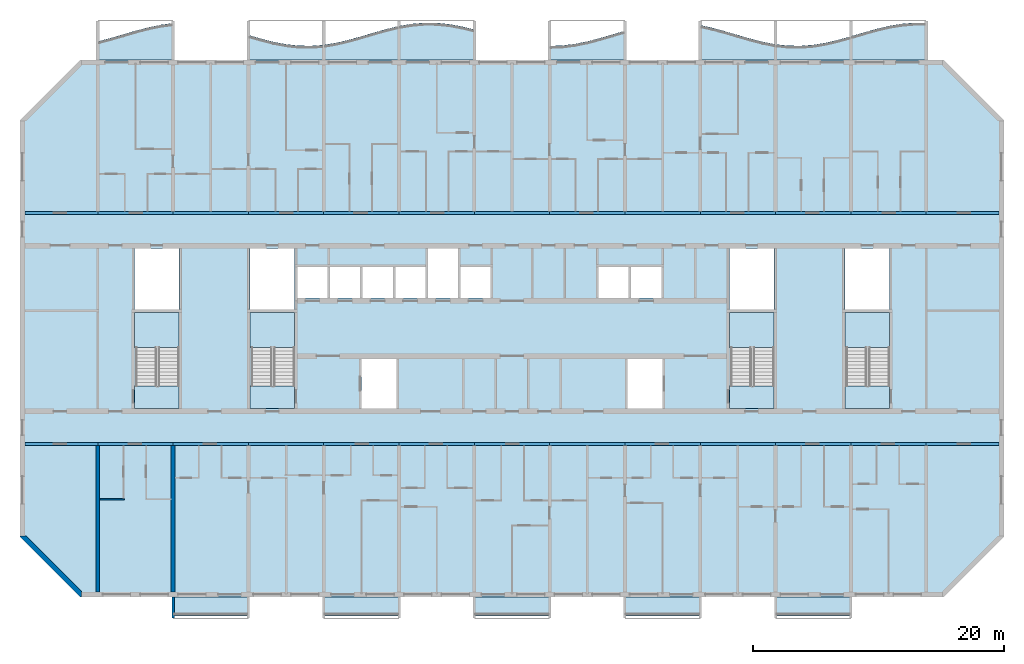
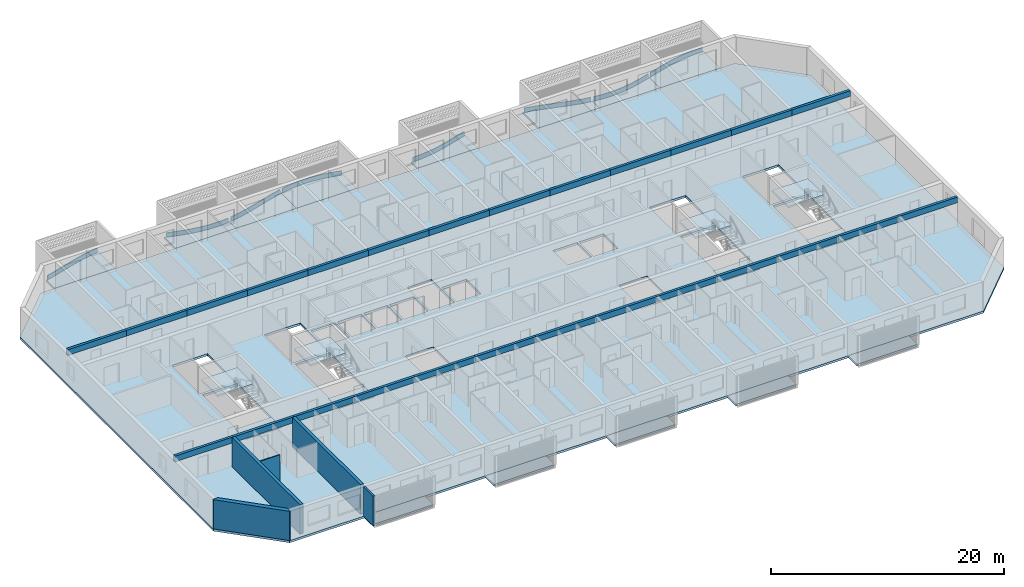
# One storey, part 1 of 33: 26 beams, 22 slabs, 8 plates, 5 walls, 4 elements without a shape of their own.
"""IFC4 building model written with IfcOpenShell, lengths in metres."""

from ifc_helpers import new_model, si_unit, direction, frame, frame_2d, origin, origin_2d, place, context, subcontext, project, spatial, polyline, rectangle, outline, extrude, source, transform, mapped, material, layer, layer_set, material_profile, profile_set, type_object, element, aggregate, save


model = new_model("IFC4")

# Units and contexts
model_context = context("Model", 3, precision=1e-05, world=origin(), true_north=direction((0.0, 1.0)))
body_context = subcontext(model_context, "Body", "Model", "MODEL_VIEW")
ifc_project = project(units=[si_unit("LENGTHUNIT", "METRE"), si_unit("AREAUNIT", "SQUARE_METRE"), si_unit("VOLUMEUNIT", "CUBIC_METRE"), si_unit("PLANEANGLEUNIT", "RADIAN"), si_unit("MASSUNIT", "GRAM", prefix="KILO")], contexts=[model_context])

# Site, building, storey
site_placement = place(None, origin())
site = spatial("IfcSite", under=ifc_project, at=site_placement, CompositionType="ELEMENT")
building_placement = place(site_placement, origin())
building = spatial("IfcBuilding", under=site, at=building_placement, Name="Poui Terraces", CompositionType="ELEMENT")
storey_placement = place(building_placement, frame((0.0, 0.0, 138.89990234375)))
storey = spatial("IfcBuildingStorey", under=building, at=storey_placement, Name="L38", CompositionType="ELEMENT", Elevation=138.89990234375)

# Beams
ifc_material_1 = material(Name="Concrete 65 MPa", Category="concrete")
ifc_material_profile = material_profile(ifc_material_1, rectangle(XDim=0.25, YDim=0.60009765625, at=origin_2d()), Name="RC 250x600")
ifc_profile_set = profile_set([ifc_material_profile], Name="Concrete 65 MPa")
beam_type = type_object("IfcBeamType", Name="COUPLING BEAM 250x600 65MPa", PredefinedType="BEAM", material=ifc_profile_set)
shared_shape_1 = source(origin(), body_context, "Body", "SweptSolid", [
    extrude(rectangle(XDim=0.25, YDim=0.60009765625, at=origin_2d()), origin(), (0.0, 0.0, 1.0), 5.800048828125),
])
for number, where, z_axis, x_axis, name in (
    (1, (12.199951171875, 12.0, 2.77001953125), (1.0, 0.0, 0.0), (0.0, 1.0, 0.0), "COUPLING BEAM LINE B BAY 1"),
    (2, (84.0, 12.0, 2.77001953125), (1.0, 0.0, 0.0), (0.0, 1.0, 0.0), "COUPLING BEAM LINE B BAY 13"),
    (3, (12.199951171875, 30.39990234375, 2.77001953125), (1.0, 0.0, 0.0), (0.0, 1.0, 0.0), "COUPLING BEAM LINE E BAY 1"),
    (4, (84.0, 30.39990234375, 2.77001953125), (1.0, 0.0, 0.0), (0.0, 1.0, 0.0), "COUPLING BEAM LINE E BAY 13"),
):
    element("IfcBeam", number, at=place(storey_placement, frame(where, z_axis=z_axis, x_axis=x_axis)), inside=storey, type_object=beam_type, Name=name, PredefinedType="BEAM", context=body_context, shape_type="MappedRepresentation", body=[
        mapped(shared_shape_1, transform((0.0, 0.0, 0.0))),
    ])
shared_shape_2 = source(origin(), body_context, "Body", "SweptSolid", [
    extrude(rectangle(XDim=0.25, YDim=0.60009765625, at=origin_2d()), origin(), (0.0, 0.0, 1.0), 6.0),
])
for number, where, z_axis, x_axis, name in (
    (5, (18.0, 12.0, 2.77001953125), (1.0, 0.0, 0.0), (0.0, 1.0, 0.0), "COUPLING BEAM LINE B BAY 2"),
    (6, (24.0, 12.0, 2.77001953125), (1.0, 0.0, 0.0), (0.0, 1.0, 0.0), "COUPLING BEAM LINE B BAY 3"),
    (7, (30.0, 12.0, 2.77001953125), (1.0, 0.0, 0.0), (0.0, 1.0, 0.0), "COUPLING BEAM LINE B BAY 4"),
    (8, (36.0, 12.0, 2.77001953125), (1.0, 0.0, 0.0), (0.0, 1.0, 0.0), "COUPLING BEAM LINE B BAY 5"),
    (9, (42.0, 12.0, 2.77001953125), (1.0, 0.0, 0.0), (0.0, 1.0, 0.0), "COUPLING BEAM LINE B BAY 6"),
    (10, (48.0, 12.0, 2.77001953125), (1.0, 0.0, 0.0), (0.0, 1.0, 0.0), "COUPLING BEAM LINE B BAY 7"),
    (11, (54.0, 12.0, 2.77001953125), (1.0, 0.0, 0.0), (0.0, 1.0, 0.0), "COUPLING BEAM LINE B BAY 8"),
    (12, (60.0, 12.0, 2.77001953125), (1.0, 0.0, 0.0), (0.0, 1.0, 0.0), "COUPLING BEAM LINE B BAY 9"),
    (13, (66.0, 12.0, 2.77001953125), (1.0, 0.0, 0.0), (0.0, 1.0, 0.0), "COUPLING BEAM LINE B BAY 10"),
    (14, (72.0, 12.0, 2.77001953125), (1.0, 0.0, 0.0), (0.0, 1.0, 0.0), "COUPLING BEAM LINE B BAY 11"),
    (15, (78.0, 12.0, 2.77001953125), (1.0, 0.0, 0.0), (0.0, 1.0, 0.0), "COUPLING BEAM LINE B BAY 12"),
    (16, (18.0, 30.39990234375, 2.77001953125), (1.0, 0.0, 0.0), (0.0, 1.0, 0.0), "COUPLING BEAM LINE E BAY 2"),
    (17, (24.0, 30.39990234375, 2.77001953125), (1.0, 0.0, 0.0), (0.0, 1.0, 0.0), "COUPLING BEAM LINE E BAY 3"),
    (18, (30.0, 30.39990234375, 2.77001953125), (1.0, 0.0, 0.0), (0.0, 1.0, 0.0), "COUPLING BEAM LINE E BAY 4"),
    (19, (36.0, 30.39990234375, 2.77001953125), (1.0, 0.0, 0.0), (0.0, 1.0, 0.0), "COUPLING BEAM LINE E BAY 5"),
    (20, (42.0, 30.39990234375, 2.77001953125), (1.0, 0.0, 0.0), (0.0, 1.0, 0.0), "COUPLING BEAM LINE E BAY 6"),
    (21, (48.0, 30.39990234375, 2.77001953125), (1.0, 0.0, 0.0), (0.0, 1.0, 0.0), "COUPLING BEAM LINE E BAY 7"),
    (22, (54.0, 30.39990234375, 2.77001953125), (1.0, 0.0, 0.0), (0.0, 1.0, 0.0), "COUPLING BEAM LINE E BAY 8"),
    (23, (60.0, 30.39990234375, 2.77001953125), (1.0, 0.0, 0.0), (0.0, 1.0, 0.0), "COUPLING BEAM LINE E BAY 9"),
    (24, (66.0, 30.39990234375, 2.77001953125), (1.0, 0.0, 0.0), (0.0, 1.0, 0.0), "COUPLING BEAM LINE E BAY 10"),
    (25, (72.0, 30.39990234375, 2.77001953125), (1.0, 0.0, 0.0), (0.0, 1.0, 0.0), "COUPLING BEAM LINE E BAY 11"),
    (26, (78.0, 30.39990234375, 2.77001953125), (1.0, 0.0, 0.0), (0.0, 1.0, 0.0), "COUPLING BEAM LINE E BAY 12"),
):
    element("IfcBeam", number, at=place(storey_placement, frame(where, z_axis=z_axis, x_axis=x_axis)), inside=storey, type_object=beam_type, Name=name, PredefinedType="BEAM", context=body_context, shape_type="MappedRepresentation", body=[
        mapped(shared_shape_2, transform((0.0, 0.0, 0.0))),
    ])

# Slabs
ifc_material_2 = material(Name="Precast concrete 40 MPa", Category="concrete")
ifc_layer_1 = layer(ifc_material_2, 0.199951171875)
ifc_layer_set_1 = layer_set([ifc_layer_1], Name="Precast concrete 40 MPa")
slab_type_1 = type_object("IfcSlabType", Name="BALCONY SLAB 200", PredefinedType="FLOOR", material=ifc_layer_set_1)
slab_1_placement = place(storey_placement, frame((0.0, 0.0, -0.199951171875)))
element("IfcSlab", 27, at=slab_1_placement, inside=storey, type_object=slab_type_1, Name="BALCONY SLAB", PredefinedType="FLOOR", context=body_context, shape_type="SweptSolid", body=[
    extrude(outline(polyline([(18.0, 42.60009765625), (24.0, 42.60009765625), (24.0, 45.510009765625), (23.0, 45.379150390625), (22.0, 45.170654296875), (21.0, 44.906005859375), (20.0, 44.612548828125), (19.0, 44.3203125), (18.0, 44.059326171875), (18.0, 42.60009765625)])), origin(), (0.0, 0.0, 1.0), 0.199951171875),
])
slab_2_placement = place(storey_placement, frame((0.0, 0.0, -0.199951171875)))
element("IfcSlab", 28, at=slab_2_placement, inside=storey, type_object=slab_type_1, Name="BALCONY SLAB", PredefinedType="FLOOR", context=body_context, shape_type="SweptSolid", body=[
    extrude(outline(polyline([(30.0, 42.60009765625), (36.0, 42.60009765625), (36.0, 43.7841796875), (35.0, 43.705322265625), (34.0, 43.72119140625), (33.0, 43.830078125), (32.0, 44.02099609375), (31.0, 44.27392578125), (30.0, 44.56298828125), (30.0, 42.60009765625)])), origin(), (0.0, 0.0, 1.0), 0.199951171875),
])
slab_3_placement = place(storey_placement, frame((0.0, 0.0, -0.199951171875)))
element("IfcSlab", 29, at=slab_3_placement, inside=storey, type_object=slab_type_1, Name="BALCONY SLAB", PredefinedType="FLOOR", context=body_context, shape_type="SweptSolid", body=[
    extrude(outline(polyline([(36.0, 42.60009765625), (42.0, 42.60009765625), (42.0, 45.283447265625), (41.0, 45.043701171875), (40.0, 44.760986328125), (39.0, 44.46435546875), (38.0, 44.18408203125), (37.0, 43.94921875), (36.0, 43.7841796875), (36.0, 42.60009765625)])), origin(), (0.0, 0.0, 1.0), 0.199951171875),
])
slab_4_placement = place(storey_placement, frame((0.0, 0.0, -0.199951171875)))
element("IfcSlab", 30, at=slab_4_placement, inside=storey, type_object=slab_type_1, Name="BALCONY SLAB", PredefinedType="FLOOR", context=body_context, shape_type="SweptSolid", body=[
    extrude(outline(polyline([(42.0, 42.60009765625), (48.0, 42.60009765625), (48.0, 44.9990234375), (47.0, 45.24755859375), (46.0, 45.43212890625), (45.0, 45.53369140625), (44.0, 45.541748046875), (43.0, 45.455322265625), (42.0, 45.283447265625), (42.0, 42.60009765625)])), origin(), (0.0, 0.0, 1.0), 0.199951171875),
])
slab_5_placement = place(storey_placement, frame((0.0, 0.0, -0.199951171875)))
element("IfcSlab", 31, at=slab_5_placement, inside=storey, type_object=slab_type_1, Name="BALCONY SLAB", PredefinedType="FLOOR", context=body_context, shape_type="SweptSolid", body=[
    extrude(outline(polyline([(54.0, 42.60009765625), (60.0, 42.60009765625), (60.0, 44.906005859375), (59.0, 44.612548828125), (58.0, 44.3203125), (57.0, 44.059326171875), (56.0, 43.856689453125), (55.0, 43.733154296875), (54.0, 43.701416015625), (54.0, 42.60009765625)])), origin(), (0.0, 0.0, 1.0), 0.199951171875),
])
slab_6_placement = place(storey_placement, frame((0.0, 0.0, -0.199951171875)))
element("IfcSlab", 32, at=slab_6_placement, inside=storey, type_object=slab_type_1, Name="BALCONY SLAB", PredefinedType="FLOOR", context=body_context, shape_type="SweptSolid", body=[
    extrude(outline(polyline([(66.0, 42.60009765625), (72.0, 42.60009765625), (72.0, 43.830078125), (71.0, 44.02099609375), (70.0, 44.27392578125), (69.0, 44.56298828125), (68.0, 44.8583984375), (67.0, 45.1298828125), (66.0, 45.349365234375), (66.0, 42.60009765625)])), origin(), (0.0, 0.0, 1.0), 0.199951171875),
])
slab_7_placement = place(storey_placement, frame((0.0, 0.0, -0.199951171875)))
element("IfcSlab", 33, at=slab_7_placement, inside=storey, type_object=slab_type_1, Name="BALCONY SLAB", PredefinedType="FLOOR", context=body_context, shape_type="SweptSolid", body=[
    extrude(outline(polyline([(72.0, 42.60009765625), (78.0, 42.60009765625), (78.0, 44.46435546875), (77.0, 44.18408203125), (76.0, 43.94921875), (75.0, 43.7841796875), (74.0, 43.705322265625), (73.0, 43.72119140625), (72.0, 43.830078125), (72.0, 42.60009765625)])), origin(), (0.0, 0.0, 1.0), 0.199951171875),
])
slab_8_placement = place(storey_placement, frame((0.0, 0.0, -0.199951171875)))
element("IfcSlab", 34, at=slab_8_placement, inside=storey, type_object=slab_type_1, Name="BALCONY SLAB", PredefinedType="FLOOR", context=body_context, shape_type="SweptSolid", body=[
    extrude(outline(polyline([(78.0, 42.60009765625), (84.0, 42.60009765625), (84.0, 45.53369140625), (83.0, 45.541748046875), (82.0, 45.455322265625), (81.0, 45.283447265625), (80.0, 45.043701171875), (79.0, 44.760986328125), (78.0, 44.46435546875), (78.0, 42.60009765625)])), origin(), (0.0, 0.0, 1.0), 0.199951171875),
])

# Stair, slabs
stair_type = type_object("IfcStairType", Name="EXIT STAIR 1650 65 MPA", PredefinedType="HALF_TURN_STAIR", material=ifc_material_1)
stair_1_placement = place(storey_placement, origin())
stair_1 = element("IfcStair", 35, at=stair_1_placement, inside=storey, type_object=stair_type, Name="L38 CORE STAIR EAST", PredefinedType="HALF_TURN_STAIR")
ifc_layer_2 = layer(ifc_material_1, 0.199951171875)
ifc_layer_set_2 = layer_set([ifc_layer_2], Name="Concrete 65 MPa")
slab_type_2 = type_object("IfcSlabType", Name="STAIR LANDING 200 65 MPA", PredefinedType="LANDING", material=ifc_layer_set_2)
slab_9_placement = place(storey_placement, frame((0.0, 0.0, 1.449951171875)))
slab_9 = element("IfcSlab", 36, at=slab_9_placement, type_object=slab_type_2, Name="ST-CE landing 1", PredefinedType="LANDING", context=body_context, shape_type="SweptSolid", body=[
    extrude(outline(polyline([(68.324951171875, 19.679931640625), (71.875, 19.679931640625), (71.875, 22.47509765625), (68.324951171875, 22.47509765625), (68.324951171875, 19.679931640625)])), origin(), (0.0, 0.0, 1.0), 0.2001953125),
])
slab_10_placement = place(storey_placement, frame((0.0, 0.0, -0.199951171875)))
slab_10 = element("IfcSlab", 37, at=slab_10_placement, type_object=slab_type_2, Name="ST-CE landing 2", PredefinedType="LANDING", context=body_context, shape_type="SweptSolid", body=[
    extrude(outline(polyline([(68.324951171875, 14.824951171875), (71.875, 14.824951171875), (71.875, 16.60009765625), (68.324951171875, 16.60009765625), (68.324951171875, 14.824951171875)])), origin(), (0.0, 0.0, 1.0), 0.199951171875),
])
aggregate(stair_1, [slab_9, slab_10])

stair_2_placement = place(storey_placement, origin())
stair_2 = element("IfcStair", 38, at=stair_2_placement, inside=storey, type_object=stair_type, Name="L38 CORE STAIR WEST", PredefinedType="HALF_TURN_STAIR")
slab_11_placement = place(storey_placement, frame((0.0, 0.0, 1.449951171875)))
slab_11 = element("IfcSlab", 39, at=slab_11_placement, type_object=slab_type_2, Name="ST-CW landing 1", PredefinedType="LANDING", context=body_context, shape_type="SweptSolid", body=[
    extrude(outline(polyline([(30.125, 19.679931640625), (33.675048828125, 19.679931640625), (33.675048828125, 22.47509765625), (30.125, 22.47509765625), (30.125, 19.679931640625)])), origin(), (0.0, 0.0, 1.0), 0.2001953125),
])
slab_12_placement = place(storey_placement, frame((0.0, 0.0, -0.199951171875)))
slab_12 = element("IfcSlab", 40, at=slab_12_placement, type_object=slab_type_2, Name="ST-CW landing 2", PredefinedType="LANDING", context=body_context, shape_type="SweptSolid", body=[
    extrude(outline(polyline([(30.125, 14.824951171875), (33.675048828125, 14.824951171875), (33.675048828125, 16.60009765625), (30.125, 16.60009765625), (30.125, 14.824951171875)])), origin(), (0.0, 0.0, 1.0), 0.199951171875),
])
aggregate(stair_2, [slab_11, slab_12])

stair_3_placement = place(storey_placement, origin())
stair_3 = element("IfcStair", 41, at=stair_3_placement, inside=storey, type_object=stair_type, Name="L38 TIP STAIR EAST", PredefinedType="HALF_TURN_STAIR")
slab_13_placement = place(storey_placement, frame((0.0, 0.0, 1.449951171875)))
slab_13 = element("IfcSlab", 42, at=slab_13_placement, type_object=slab_type_2, Name="ST-E landing 1", PredefinedType="LANDING", context=body_context, shape_type="SweptSolid", body=[
    extrude(outline(polyline([(77.52490234375, 19.679931640625), (81.074951171875, 19.679931640625), (81.074951171875, 22.47509765625), (77.52490234375, 22.47509765625), (77.52490234375, 19.679931640625)])), origin(), (0.0, 0.0, 1.0), 0.2001953125),
])
slab_14_placement = place(storey_placement, frame((0.0, 0.0, -0.199951171875)))
slab_14 = element("IfcSlab", 43, at=slab_14_placement, type_object=slab_type_2, Name="ST-E landing 2", PredefinedType="LANDING", context=body_context, shape_type="SweptSolid", body=[
    extrude(outline(polyline([(77.52490234375, 14.824951171875), (81.074951171875, 14.824951171875), (81.074951171875, 16.60009765625), (77.52490234375, 16.60009765625), (77.52490234375, 14.824951171875)])), origin(), (0.0, 0.0, 1.0), 0.199951171875),
])
aggregate(stair_3, [slab_13, slab_14])

stair_4_placement = place(storey_placement, origin())
stair_4 = element("IfcStair", 44, at=stair_4_placement, inside=storey, type_object=stair_type, Name="L38 TIP STAIR WEST", PredefinedType="HALF_TURN_STAIR")
slab_15_placement = place(storey_placement, frame((0.0, 0.0, 1.449951171875)))
slab_15 = element("IfcSlab", 45, at=slab_15_placement, type_object=slab_type_2, Name="ST-W landing 1", PredefinedType="LANDING", context=body_context, shape_type="SweptSolid", body=[
    extrude(outline(polyline([(20.925048828125, 19.679931640625), (24.47509765625, 19.679931640625), (24.47509765625, 22.47509765625), (20.925048828125, 22.47509765625), (20.925048828125, 19.679931640625)])), origin(), (0.0, 0.0, 1.0), 0.2001953125),
])
slab_16_placement = place(storey_placement, frame((0.0, 0.0, -0.199951171875)))
slab_16 = element("IfcSlab", 46, at=slab_16_placement, type_object=slab_type_2, Name="ST-W landing 2", PredefinedType="LANDING", context=body_context, shape_type="SweptSolid", body=[
    extrude(outline(polyline([(20.925048828125, 14.824951171875), (24.47509765625, 14.824951171875), (24.47509765625, 16.60009765625), (20.925048828125, 16.60009765625), (20.925048828125, 14.824951171875)])), origin(), (0.0, 0.0, 1.0), 0.199951171875),
])
aggregate(stair_4, [slab_15, slab_16])

# Plates
ifc_layer_3 = layer(ifc_material_2, 0.080078125)
ifc_layer_set_3 = layer_set([ifc_layer_3], Name="Precast concrete 40 MPa")
plate_type = type_object("IfcPlateType", Name="SUNSHADE UPSTAND 80", PredefinedType="SHEET", material=ifc_layer_set_3)
plate_1_placement = place(storey_placement, origin())
element("IfcPlate", 47, at=plate_1_placement, inside=storey, type_object=plate_type, Name="SUNSHADE UPSTAND", PredefinedType="SHEET", context=body_context, shape_type="SweptSolid", body=[
    extrude(outline(polyline([(18.9892578125, 44.31396484375), (18.11474609375, 44.0830078125), (18.13525390625, 44.005615234375), (19.0107421875, 44.23681640625), (20.01123046875, 44.529296875), (21.0107421875, 44.822509765625), (22.00927734375, 45.0869140625), (23.0068359375, 45.294677734375), (23.88037109375, 45.413818359375), (23.86962890625, 45.492919921875), (23.845703125, 45.48974609375), (22.9931640625, 45.37353515625), (21.99072265625, 45.164794921875), (20.9892578125, 44.899658203125), (19.98876953125, 44.60595703125), (18.9892578125, 44.31396484375)])), origin(), (0.0, 0.0, 1.0), 0.4501953125),
])
plate_2_placement = place(storey_placement, origin())
element("IfcPlate", 48, at=plate_2_placement, inside=storey, type_object=plate_type, Name="SUNSHADE UPSTAND", PredefinedType="SHEET", context=body_context, shape_type="SweptSolid", body=[
    extrude(outline(polyline([(31.010498046875, 44.267578125), (30.135986328125, 44.519287109375), (30.114013671875, 44.4423828125), (30.989501953125, 44.190185546875), (31.9912109375, 43.93701171875), (32.994140625, 43.74560546875), (33.99755859375, 43.63623046875), (35.001220703125, 43.620361328125), (35.8779296875, 43.684326171875), (35.8720703125, 43.76416015625), (34.998779296875, 43.700439453125), (34.00244140625, 43.71630859375), (33.005859375, 43.82470703125), (32.0087890625, 44.014892578125), (31.010498046875, 44.267578125)])), origin(), (0.0, 0.0, 1.0), 0.4501953125),
])
plate_3_placement = place(storey_placement, origin())
element("IfcPlate", 49, at=plate_3_placement, inside=storey, type_object=plate_type, Name="SUNSHADE UPSTAND", PredefinedType="SHEET", context=body_context, shape_type="SweptSolid", body=[
    extrude(outline(polyline([(36.9921875, 43.943603515625), (36.118408203125, 43.794677734375), (36.131591796875, 43.7158203125), (37.0078125, 43.864990234375), (38.010009765625, 44.100341796875), (39.010986328125, 44.380859375), (40.010986328125, 44.677734375), (41.01025390625, 44.960205078125), (41.884521484375, 45.1728515625), (41.865478515625, 45.25048828125), (40.98974609375, 45.03759765625), (39.989013671875, 44.75439453125), (38.989013671875, 44.457763671875), (37.989990234375, 44.177978515625), (36.9921875, 43.943603515625)])), origin(), (0.0, 0.0, 1.0), 0.4501953125),
])
plate_4_placement = place(storey_placement, origin())
element("IfcPlate", 50, at=plate_4_placement, inside=storey, type_object=plate_type, Name="SUNSHADE UPSTAND", PredefinedType="SHEET", context=body_context, shape_type="SweptSolid", body=[
    extrude(outline(polyline([(42.9951171875, 45.449951171875), (42.118408203125, 45.303466796875), (42.131591796875, 45.224609375), (43.0048828125, 45.37060546875), (44.001708984375, 45.456787109375), (44.997802734375, 45.44873046875), (45.994384765625, 45.34765625), (46.99169921875, 45.16357421875), (47.865478515625, 44.948974609375), (47.884521484375, 45.026611328125), (47.00830078125, 45.24169921875), (46.005615234375, 45.4267578125), (45.002197265625, 45.52880859375), (43.998291015625, 45.53662109375), (42.9951171875, 45.449951171875)])), origin(), (0.0, 0.0, 1.0), 0.4501953125),
])
plate_5_placement = place(storey_placement, origin())
element("IfcPlate", 51, at=plate_5_placement, inside=storey, type_object=plate_type, Name="SUNSHADE UPSTAND", PredefinedType="SHEET", context=body_context, shape_type="SweptSolid", body=[
    extrude(outline(polyline([(54.996826171875, 43.72802734375), (54.12353515625, 43.695068359375), (54.12646484375, 43.614990234375), (55.003173828125, 43.648193359375), (56.00634765625, 43.772216796875), (57.009033203125, 43.9755859375), (58.0107421875, 44.23681640625), (59.01123046875, 44.529296875), (59.88623046875, 44.787109375), (59.86376953125, 44.86376953125), (58.98876953125, 44.60595703125), (57.9892578125, 44.31396484375), (56.990966796875, 44.053466796875), (55.99365234375, 43.851318359375), (54.996826171875, 43.72802734375)])), origin(), (0.0, 0.0, 1.0), 0.4501953125),
])
plate_6_placement = place(storey_placement, origin())
element("IfcPlate", 52, at=plate_6_placement, inside=storey, type_object=plate_type, Name="SUNSHADE UPSTAND", PredefinedType="SHEET", context=body_context, shape_type="SweptSolid", body=[
    extrude(outline(polyline([(67.009521484375, 45.123779296875), (66.1337890625, 45.319580078125), (66.1162109375, 45.241455078125), (66.990478515625, 45.0458984375), (67.989013671875, 44.77490234375), (68.98876953125, 44.4794921875), (69.989501953125, 44.190185546875), (70.9912109375, 43.93701171875), (71.8671875, 43.765625), (71.8828125, 43.84423828125), (71.0087890625, 44.014892578125), (70.010498046875, 44.267578125), (69.01123046875, 44.556396484375), (68.010986328125, 44.851806640625), (67.009521484375, 45.123779296875)])), origin(), (0.0, 0.0, 1.0), 0.4501953125),
])
plate_7_placement = place(storey_placement, origin())
element("IfcPlate", 53, at=plate_7_placement, inside=storey, type_object=plate_type, Name="SUNSHADE UPSTAND", PredefinedType="SHEET", context=body_context, shape_type="SweptSolid", body=[
    extrude(outline(polyline([(73.00244140625, 43.71630859375), (72.129150390625, 43.806640625), (72.120849609375, 43.72705078125), (72.99755859375, 43.63623046875), (74.001220703125, 43.620361328125), (75.0048828125, 43.69921875), (76.0078125, 43.864990234375), (77.010009765625, 44.100341796875), (77.8857421875, 44.34423828125), (77.8642578125, 44.42138671875), (76.989990234375, 44.177978515625), (75.9921875, 43.943603515625), (74.9951171875, 43.77880859375), (73.998779296875, 43.700439453125), (73.00244140625, 43.71630859375)])), origin(), (0.0, 0.0, 1.0), 0.4501953125),
])
plate_8_placement = place(storey_placement, origin())
element("IfcPlate", 54, at=plate_8_placement, inside=storey, type_object=plate_type, Name="SUNSHADE UPSTAND", PredefinedType="SHEET", context=body_context, shape_type="SweptSolid", body=[
    extrude(outline(polyline([(78.989013671875, 44.75439453125), (78.113525390625, 44.494384765625), (78.136474609375, 44.417724609375), (79.010986328125, 44.677734375), (80.010009765625, 44.960205078125), (81.008056640625, 45.19921875), (82.005126953125, 45.37060546875), (83.001708984375, 45.456787109375), (83.875, 45.454833984375), (83.875, 45.53466796875), (83.8369140625, 45.534912109375), (82.998291015625, 45.53662109375), (81.994873046875, 45.449951171875), (80.991943359375, 45.277587890625), (79.989990234375, 45.03759765625), (78.989013671875, 44.75439453125)])), origin(), (0.0, 0.0, 1.0), 0.4501953125),
])

# Slabs
ifc_material_3 = material(Name="Concrete 40 MPa", Category="concrete")
ifc_layer_4 = layer(ifc_material_3, 0.22998046875)
ifc_layer_set_4 = layer_set([ifc_layer_4], Name="Concrete 40 MPa")
slab_type_3 = type_object("IfcSlabType", Name="FLOOR SLAB 230", PredefinedType="FLOOR", material=ifc_layer_set_4)
shared_shape_3 = source(origin(), body_context, "Body", "SweptSolid", [
    extrude(outline(polyline([(0.0, 0.0), (4.800048828125, -4.800048828125), (73.599853515625, -4.800048828125), (78.39990234375, 0.0), (78.39990234375, 33.199951171875), (73.599853515625, 38.0), (4.800048828125, 38.0), (0.0, 33.199951171875), (0.0, 0.0)]), holes=[polyline([(27.199951171875, 10.224853515625), (27.199951171875, 14.1748046875), (30.0, 14.1748046875), (30.0, 10.224853515625), (27.199951171875, 10.224853515625)]), polyline([(9.224853515625, 17.849853515625), (12.675048828125, 17.849853515625), (12.675048828125, 12.0), (12.675048828125, 10.224853515625), (9.125, 10.224853515625), (9.125, 12.0), (9.224853515625, 12.0), (9.224853515625, 17.849853515625)]), polyline([(18.425048828125, 17.849853515625), (21.875, 17.849853515625), (21.875, 12.0), (21.875, 10.224853515625), (18.324951171875, 10.224853515625), (18.324951171875, 12.0), (18.425048828125, 12.0), (18.425048828125, 17.849853515625)]), polyline([(22.099853515625, 19.02490234375), (22.099853515625, 21.5), (24.5, 21.5), (24.5, 19.02490234375), (22.099853515625, 19.02490234375)]), polyline([(24.699951171875, 19.02490234375), (24.699951171875, 21.5), (27.099853515625, 21.5), (27.099853515625, 19.02490234375), (24.699951171875, 19.02490234375)]), polyline([(27.300048828125, 19.02490234375), (27.300048828125, 21.5), (29.699951171875, 21.5), (29.699951171875, 19.02490234375), (27.300048828125, 19.02490234375)]), polyline([(29.89990234375, 19.02490234375), (29.89990234375, 21.5), (32.300048828125, 21.5), (32.300048828125, 19.02490234375), (29.89990234375, 19.02490234375)]), polyline([(9.125, 22.974853515625), (12.675048828125, 22.974853515625), (12.675048828125, 18.125), (9.125, 18.125), (9.125, 22.974853515625)]), polyline([(18.324951171875, 22.974853515625), (21.875, 22.974853515625), (21.875, 18.125), (18.324951171875, 18.125), (18.324951171875, 22.974853515625)]), polyline([(48.39990234375, 10.224853515625), (48.39990234375, 14.1748046875), (51.199951171875, 14.1748046875), (51.199951171875, 10.224853515625), (48.39990234375, 10.224853515625)]), polyline([(56.625, 17.849853515625), (60.074951171875, 17.849853515625), (60.074951171875, 12.0), (60.074951171875, 10.224853515625), (56.52490234375, 10.224853515625), (56.52490234375, 12.0), (56.625, 12.0), (56.625, 17.849853515625)]), polyline([(65.824951171875, 17.849853515625), (69.27490234375, 17.849853515625), (69.27490234375, 12.0), (69.27490234375, 10.224853515625), (65.724853515625, 10.224853515625), (65.724853515625, 12.0), (65.824951171875, 12.0), (65.824951171875, 17.849853515625)]), polyline([(35.099853515625, 19.02490234375), (35.099853515625, 21.5), (37.5, 21.5), (37.5, 19.02490234375), (35.099853515625, 19.02490234375)]), polyline([(46.099853515625, 19.02490234375), (46.099853515625, 21.5), (48.5, 21.5), (48.5, 19.02490234375), (46.099853515625, 19.02490234375)]), polyline([(48.699951171875, 19.02490234375), (48.699951171875, 21.5), (51.099853515625, 21.5), (51.099853515625, 19.02490234375), (48.699951171875, 19.02490234375)]), polyline([(56.52490234375, 18.125), (56.52490234375, 22.974853515625), (60.074951171875, 22.974853515625), (60.074951171875, 18.125), (56.52490234375, 18.125)]), polyline([(65.724853515625, 22.974853515625), (69.27490234375, 22.974853515625), (69.27490234375, 18.125), (65.724853515625, 18.125), (65.724853515625, 22.974853515625)]), polyline([(32.5, 22.974853515625), (34.89990234375, 22.974853515625), (34.89990234375, 19.02490234375), (32.5, 19.02490234375), (32.5, 22.974853515625)])]), origin(), (0.0, 0.0, 1.0), 0.22998046875),
])
slab_17_placement = place(storey_placement, frame((11.800048828125, 4.60009765625, -0.22998046875)))
element("IfcSlab", 55, at=slab_17_placement, inside=storey, type_object=slab_type_3, Name="FLOOR SLAB", PredefinedType="FLOOR", context=body_context, shape_type="MappedRepresentation", body=[
    mapped(shared_shape_3, transform((0.0, 0.0, 0.0))),
])
ifc_layer_5 = layer(ifc_material_2, 0.199951171875)
ifc_layer_set_5 = layer_set([ifc_layer_5], Name="Precast concrete 40 MPa")
slab_type_4 = type_object("IfcSlabType", Name="REAR BALCONY SLAB 200", PredefinedType="FLOOR", material=ifc_layer_set_5)
shared_shape_4 = source(origin(), body_context, "Body", "SweptSolid", [
    extrude(outline(polyline([(0.0, 0.0), (6.0, 0.0), (6.0, 1.5), (0.0, 1.5), (0.0, 0.0)])), origin(), (0.0, 0.0, 1.0), 0.199951171875),
])
for number, where, name in (
    (56, (24.0, -1.699951171875, -0.199951171875), "REAR BALCONY SLAB"),
    (57, (36.0, -1.699951171875, -0.199951171875), "REAR BALCONY SLAB"),
    (58, (48.0, -1.699951171875, -0.199951171875), "REAR BALCONY SLAB"),
    (59, (60.0, -1.699951171875, -0.199951171875), "REAR BALCONY SLAB"),
    (60, (72.0, -1.699951171875, -0.199951171875), "REAR BALCONY SLAB"),
):
    element("IfcSlab", number, at=place(storey_placement, frame(where)), inside=storey, type_object=slab_type_4, Name=name, PredefinedType="FLOOR", context=body_context, shape_type="MappedRepresentation", body=[
        mapped(shared_shape_4, transform((0.0, 0.0, 0.0))),
    ])

# Walls
ifc_layer_6 = layer(ifc_material_1, 0.300048828125)
ifc_layer_set_6 = layer_set([ifc_layer_6], Name="Concrete 65 MPa")
wall_type_1 = type_object("IfcWallType", Name="CROSS WALL 300 65MPa", PredefinedType="SHEAR", material=ifc_layer_set_6)
for number, where, z_axis, x_axis, name in (
    (61, (18.0, 0.199951171875, 0.0), (0.0, 0.0, 1.0), (0.0, 1.0, 0.0), "CROSS WALL LINE 4 SOUTH"),
    (62, (24.0, 0.199951171875, 0.0), (0.0, 0.0, 1.0), (0.0, 1.0, 0.0), "CROSS WALL LINE 5 SOUTH"),
):
    element("IfcWall", number, at=place(storey_placement, frame(where, z_axis=z_axis, x_axis=x_axis)), inside=storey, type_object=wall_type_1, Name=name, PredefinedType="SHEAR", context=body_context, shape_type="SweptSolid", body=[
        extrude(rectangle(XDim=11.675048828125, YDim=0.300048828125, at=frame_2d((5.83740234375, 0.0))), origin(), (0.0, 0.0, 1.0), 3.070068359375),
    ])
ifc_material_4 = material(Name="Plasterboard partition")
ifc_layer_7 = layer(ifc_material_4, 0.10009765625)
ifc_layer_set_7 = layer_set([ifc_layer_7], Name="Plasterboard partition")
wall_type_2 = type_object("IfcWallType", Name="FLAT PARTITION 100", PredefinedType="PARTITIONING", material=ifc_layer_set_7)
wall_1_placement = place(storey_placement, frame((18.159912109375, 7.60009765625, 0.0), z_axis=(0.0, 0.0, 1.0), x_axis=(1.0, 0.0, 0.0)))
element("IfcWall", 63, at=wall_1_placement, inside=storey, type_object=wall_type_2, Name="FLAT PARTITION 100", PredefinedType="PARTITIONING", context=body_context, shape_type="SweptSolid", body=[
    extrude(rectangle(XDim=1.940185546875, YDim=0.10009765625, at=frame_2d((0.97021484375, 0.0))), origin(), (0.0, 0.0, 1.0), 3.070068359375),
])
ifc_layer_8 = layer(ifc_material_2, 0.39990234375)
ifc_layer_set_8 = layer_set([ifc_layer_8], Name="Precast concrete 40 MPa")
wall_type_3 = type_object("IfcWallType", Name="TERRACOTTA CLAD CHAMFER WALL 400", PredefinedType="STANDARD", material=ifc_layer_set_8)
wall_2_placement = place(storey_placement, origin())
element("IfcWall", 64, at=wall_2_placement, inside=storey, type_object=wall_type_3, Name="CHAMFER WALL CH07", PredefinedType="STANDARD", context=body_context, shape_type="SweptSolid", body=[
    extrude(outline(polyline([(11.800048828125, 4.682861328125), (11.800048828125, 4.60009765625), (16.60009765625, -0.199951171875), (16.682861328125, -0.199951171875), (16.682861328125, 0.28271484375), (12.28271484375, 4.682861328125), (11.800048828125, 4.682861328125)])), origin(), (0.0, 0.0, 1.0), 3.070068359375),
])
ifc_layer_9 = layer(ifc_material_2, 0.199951171875)
ifc_layer_set_9 = layer_set([ifc_layer_9], Name="Precast concrete 40 MPa")
wall_type_4 = type_object("IfcWallType", Name="REAR FIN 200", PredefinedType="STANDARD", material=ifc_layer_set_9)
shared_shape_5 = source(origin(), body_context, "Body", "SweptSolid", [
    extrude(outline(polyline([(0.0, 0.0), (0.2001953125, 0.0), (0.2001953125, 1.650146484375), (0.0, 1.650146484375), (0.0, 0.0)])), origin(), (0.0, 0.0, 1.0), 3.10009765625),
])
wall_3_placement = place(storey_placement, frame((23.89990234375, -1.85009765625, 0.0)))
element("IfcWall", 65, at=wall_3_placement, inside=storey, type_object=wall_type_4, Name="REAR FIN", PredefinedType="STANDARD", context=body_context, shape_type="MappedRepresentation", body=[
    mapped(shared_shape_5, transform((0.0, 0.0, 0.0))),
])

save(model, "model.ifc")
